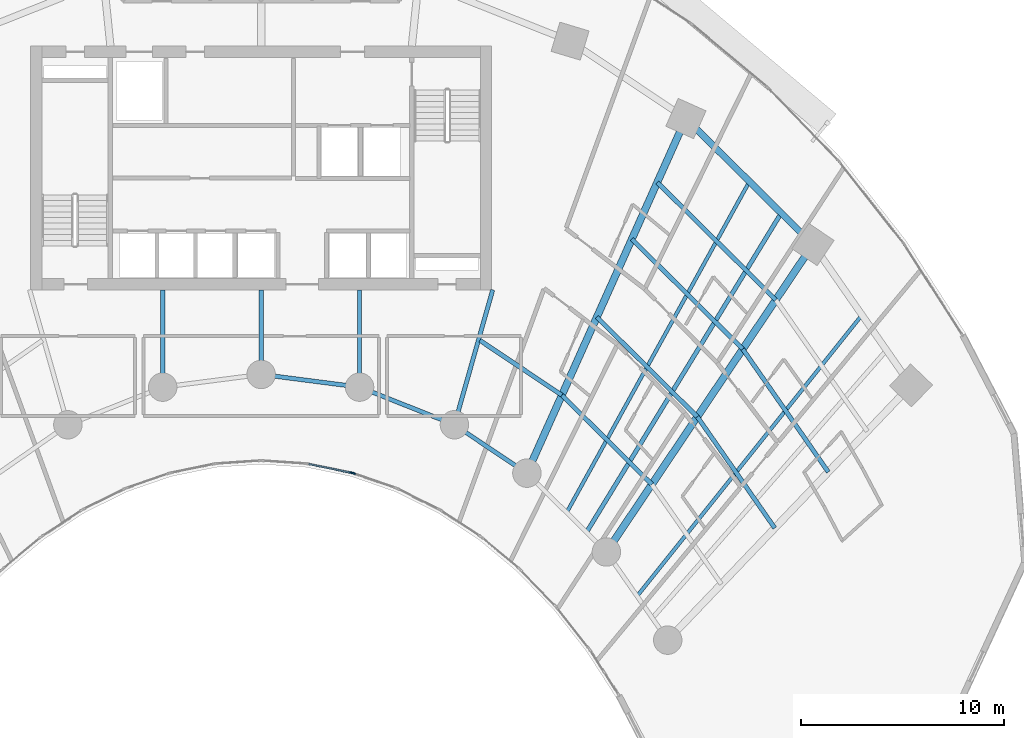
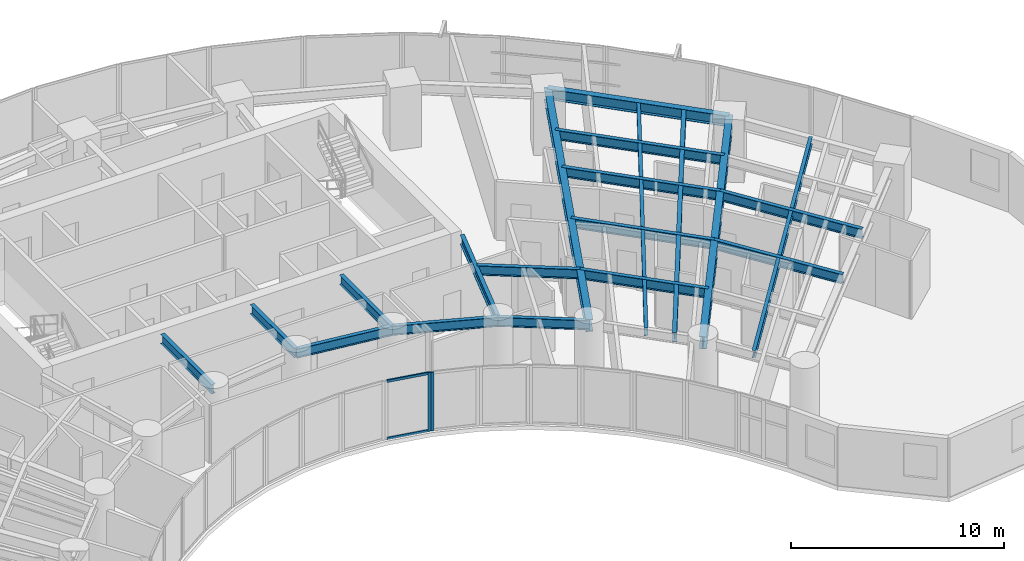
# One storey, part 5 of 18: 20 beams, 4 members, 2 elements without a shape of their own.
"""IFC4 building model written with IfcOpenShell, lengths in metres."""

from ifc_helpers import new_model, si_unit, direction, frame, origin, origin_2d, place, context, subcontext, project, spatial, rectangle, i_section, extrude, source, transform, mapped, material, layer, layer_set, material_profile, profile_set, type_object, type_shapes, element, aggregate, save


model = new_model("IFC4")

# Units and contexts
model_context = context("Model", 3, precision=1e-05, world=origin(), true_north=direction((0.0, 1.0)))
body_context = subcontext(model_context, "Body", "Model", "MODEL_VIEW")
ifc_project = project(units=[si_unit("LENGTHUNIT", "METRE"), si_unit("AREAUNIT", "SQUARE_METRE"), si_unit("VOLUMEUNIT", "CUBIC_METRE"), si_unit("PLANEANGLEUNIT", "RADIAN"), si_unit("MASSUNIT", "GRAM", prefix="KILO")], contexts=[model_context])

# Site, building, storey
site_placement = place(None, origin())
site = spatial("IfcSite", under=ifc_project, at=site_placement, CompositionType="ELEMENT")
building_placement = place(site_placement, origin())
building = spatial("IfcBuilding", under=site, at=building_placement, Name="Breltana Convention Tower", CompositionType="ELEMENT")
storey_placement = place(building_placement, frame((0.0, 0.0, 35.39990234375)))
storey = spatial("IfcBuildingStorey", under=building, at=storey_placement, Name="L06", CompositionType="ELEMENT", Elevation=35.39990234375)

# Beams
ifc_material_1 = material(Name="Steel ASTM A992 Grade 50", Category="steel")
ifc_material_profile_1 = material_profile(ifc_material_1, i_section(OverallWidth=0.323974609375, OverallDepth=0.611083984375, WebThickness=0.0126953125, FlangeThickness=0.01904296875, at=origin_2d()), Name="W24X104")
ifc_profile_set_1 = profile_set([ifc_material_profile_1], Name="Steel ASTM A992 Grade 50")
beam_type_1 = type_object("IfcBeamType", Name="BM-SP-W24X104", PredefinedType="SPANDREL", material=ifc_profile_set_1)
shared_shape_1 = source(origin(), body_context, "Body", "SweptSolid", [
    extrude(i_section(OverallWidth=0.323974609375, OverallDepth=0.611083984375, WebThickness=0.0126953125, FlangeThickness=0.01904296875, at=origin_2d()), origin(), (0.0, 0.0, 1.0), 8.810302734375),
])
beam_1_placement = place(storey_placement, frame((68.910400390625, 68.63330078125, 3.0546875), z_axis=(0.710120823582, -0.704079836322, 0.0), x_axis=(0.704079836322, 0.710120823582, 0.0)))
element("IfcBeam", 1, at=beam_1_placement, inside=storey, type_object=beam_type_1, Name="L06 Outer Spandrel Beam 09", PredefinedType="SPANDREL", context=body_context, shape_type="MappedRepresentation", body=[
    mapped(shared_shape_1, transform((0.0, 0.0, 0.0), scale=1.0)),
])
ifc_material_profile_2 = material_profile(ifc_material_1, i_section(OverallWidth=0.2099609375, OverallDepth=0.537109375, WebThickness=0.010986328125, FlangeThickness=0.017333984375, at=origin_2d()), Name="W21X68")
ifc_profile_set_2 = profile_set([ifc_material_profile_2], Name="Steel ASTM A992 Grade 50")
beam_type_2 = type_object("IfcBeamType", Name="BM-BM-W21X68", PredefinedType="BEAM", material=ifc_profile_set_2)
shared_shape_2 = source(origin(), body_context, "Body", "SweptSolid", [
    extrude(i_section(OverallWidth=0.2099609375, OverallDepth=0.537109375, WebThickness=0.010986328125, FlangeThickness=0.017333984375, at=origin_2d()), origin(), (0.0, 0.0, 1.0), 6.904541015625),
])
type_shapes(beam_type_2, [shared_shape_2])
beam_2_placement = place(storey_placement, frame((59.39990234375, 60.199951171875, 3.091552734375), z_axis=(-0.273006781054, -0.962012108811, 0.0), x_axis=(0.962012108811, -0.273006781054, 0.0)))
element("IfcBeam", 2, at=beam_2_placement, inside=storey, type_object=beam_type_2, Name="L06 South Core Tie Girder R08", PredefinedType="BEAM", context=body_context, shape_type="MappedRepresentation", body=[
    mapped(shared_shape_2, transform((0.0, 0.0, 0.0), scale=1.0)),
])
shared_shape_3 = source(origin(), body_context, "Body", "SweptSolid", [
    extrude(i_section(OverallWidth=0.2099609375, OverallDepth=0.537109375, WebThickness=0.010986328125, FlangeThickness=0.017333984375, at=origin_2d()), origin(), (0.0, 0.0, 1.0), 4.789306640625),
])
for number, where, z_axis, x_axis, name in (
    (3, (43.153564453125, 60.199951171875, 3.091552734375), (0.0, -1.0, 0.0), (1.0, 0.0, 0.0), "L06 South Core Tie Girder R05"),
    (4, (52.846435546875, 60.199951171875, 3.091552734375), (0.0, -1.0, 0.0), (1.0, 0.0, 0.0), "L06 South Core Tie Girder R07"),
):
    element("IfcBeam", number, at=place(storey_placement, frame(where, z_axis=z_axis, x_axis=x_axis)), inside=storey, type_object=beam_type_2, Name=name, PredefinedType="BEAM", context=body_context, shape_type="MappedRepresentation", body=[
        mapped(shared_shape_3, transform((0.0, 0.0, 0.0), scale=1.0)),
    ])
shared_shape_4 = source(origin(), body_context, "Body", "SweptSolid", [
    extrude(i_section(OverallWidth=0.2099609375, OverallDepth=0.537109375, WebThickness=0.010986328125, FlangeThickness=0.017333984375, at=origin_2d()), origin(), (0.0, 0.0, 1.0), 4.1640625),
])
beam_3_placement = place(storey_placement, frame((48.0, 60.199951171875, 3.091552734375), z_axis=(0.0, -1.0, 0.0), x_axis=(1.0, 0.0, 0.0)))
element("IfcBeam", 5, at=beam_3_placement, inside=storey, type_object=beam_type_2, Name="L06 South Core Tie Girder R06", PredefinedType="BEAM", context=body_context, shape_type="MappedRepresentation", body=[
    mapped(shared_shape_4, transform((0.0, 0.0, 0.0), scale=1.0)),
])
ifc_material_profile_3 = material_profile(ifc_material_1, i_section(OverallWidth=0.35498046875, OverallDepth=0.696044921875, WebThickness=0.015380859375, FlangeThickness=0.02490234375, at=origin_2d()), Name="W27X146")
ifc_profile_set_3 = profile_set([ifc_material_profile_3], Name="Steel ASTM A992 Grade 50")
beam_type_3 = type_object("IfcBeamType", Name="BM-RG-W27X146", PredefinedType="USERDEFINED", material=ifc_profile_set_3)
shared_shape_5 = source(origin(), body_context, "Body", "SweptSolid", [
    extrude(i_section(OverallWidth=0.35498046875, OverallDepth=0.696044921875, WebThickness=0.015380859375, FlangeThickness=0.02490234375, at=origin_2d()), origin(), (0.0, 0.0, 1.0), 19.133544921875),
])
beam_4_placement = place(storey_placement, frame((61.08203125, 51.174560546875, 3.01220703125), z_axis=(0.409144564164, 0.912469575172, 0.0), x_axis=(-0.912469575172, 0.409144564164, 0.0)))
element("IfcBeam", 6, at=beam_4_placement, inside=storey, type_object=beam_type_3, Name="L06 Radial Floor Girder R09", ObjectType="GIRDER", PredefinedType="USERDEFINED", context=body_context, shape_type="MappedRepresentation", body=[
    mapped(shared_shape_5, transform((0.0, 0.0, 0.0), scale=1.0)),
])
shared_shape_6 = source(origin(), body_context, "Body", "SweptSolid", [
    extrude(i_section(OverallWidth=0.35498046875, OverallDepth=0.696044921875, WebThickness=0.015380859375, FlangeThickness=0.02490234375, at=origin_2d()), origin(), (0.0, 0.0, 1.0), 18.236328125),
])
beam_5_placement = place(storey_placement, frame((64.995849609375, 47.293701171875, 3.01220703125), z_axis=(0.557730360975, 0.830022195153, 0.0), x_axis=(-0.830022195153, 0.557730360975, 0.0)))
element("IfcBeam", 7, at=beam_5_placement, inside=storey, type_object=beam_type_3, Name="L06 Radial Floor Girder R10", ObjectType="GIRDER", PredefinedType="USERDEFINED", context=body_context, shape_type="MappedRepresentation", body=[
    mapped(shared_shape_6, transform((0.0, 0.0, 0.0), scale=1.0)),
])
shared_shape_7 = source(origin(), body_context, "Body", "SweptSolid", [
    extrude(i_section(OverallWidth=0.2099609375, OverallDepth=0.537109375, WebThickness=0.010986328125, FlangeThickness=0.017333984375, at=origin_2d()), origin(), (0.0, 0.0, 1.0), 5.022705078125),
])
beam_6_placement = place(storey_placement, frame((52.846435546875, 55.41064453125, 3.091552734375), z_axis=(0.929458966248, -0.368925507469, 0.0), x_axis=(0.368925507469, 0.929458966248, 0.0)))
element("IfcBeam", 8, at=beam_6_placement, inside=storey, type_object=beam_type_2, Name="L06 Inner Ring Beam 07", PredefinedType="BEAM", context=body_context, shape_type="MappedRepresentation", body=[
    mapped(shared_shape_7, transform((0.0, 0.0, 0.0), scale=1.0)),
])
shared_shape_8 = source(origin(), body_context, "Body", "SweptSolid", [
    extrude(i_section(OverallWidth=0.2099609375, OverallDepth=0.537109375, WebThickness=0.010986328125, FlangeThickness=0.017333984375, at=origin_2d()), origin(), (0.0, 0.0, 1.0), 4.88671875),
])
beam_7_placement = place(storey_placement, frame((48.0, 56.035888671875, 3.091552734375), z_axis=(0.991780525565, -0.127950729231, 0.0), x_axis=(0.127950729231, 0.991780525565, 0.0)))
element("IfcBeam", 9, at=beam_7_placement, inside=storey, type_object=beam_type_2, Name="L06 Inner Ring Beam 06", PredefinedType="BEAM", context=body_context, shape_type="MappedRepresentation", body=[
    mapped(shared_shape_8, transform((0.0, 0.0, 0.0), scale=1.0)),
])
shared_shape_9 = source(origin(), body_context, "Body", "SweptSolid", [
    extrude(i_section(OverallWidth=0.2099609375, OverallDepth=0.537109375, WebThickness=0.010986328125, FlangeThickness=0.017333984375, at=origin_2d()), origin(), (0.0, 0.0, 1.0), 4.2900390625),
])
beam_8_placement = place(storey_placement, frame((57.514892578125, 53.5576171875, 3.091552734375), z_axis=(0.831515827753, -0.555501060482, 0.0), x_axis=(0.555501060482, 0.831515827753, 0.0)))
element("IfcBeam", 10, at=beam_8_placement, inside=storey, type_object=beam_type_2, Name="L06 Inner Ring Beam 08", PredefinedType="BEAM", context=body_context, shape_type="MappedRepresentation", body=[
    mapped(shared_shape_9, transform((0.0, 0.0, 0.0), scale=1.0)),
])
ifc_material_profile_4 = material_profile(ifc_material_1, i_section(OverallWidth=0.179931640625, OverallDepth=0.4130859375, WebThickness=0.009765625, FlangeThickness=0.01611328125, at=origin_2d()), Name="W16X50")
ifc_profile_set_4 = profile_set([ifc_material_profile_4], Name="Steel ASTM A992 Grade 50")
beam_type_4 = type_object("IfcBeamType", Name="BM-JSG-08", PredefinedType="JOIST", material=ifc_profile_set_4)
shared_shape_10 = source(origin(), body_context, "Body", "SweptSolid", [
    extrude(i_section(OverallWidth=0.179931640625, OverallDepth=0.4130859375, WebThickness=0.009765625, FlangeThickness=0.01611328125, at=origin_2d()), origin(), (0.0, 0.0, 1.0), 18.617431640625),
])
beam_9_placement = place(storey_placement, frame((63.038818359375, 49.234130859375, 3.153564453125), z_axis=(0.483405602507, 0.875396495004, 0.0), x_axis=(-0.875396495004, 0.483405602507, 0.0)))
element("IfcBeam", 11, at=beam_9_placement, inside=storey, type_object=beam_type_4, Name="L06 Mid-Bay Radial Trimmer 09", PredefinedType="JOIST", context=body_context, shape_type="MappedRepresentation", body=[
    mapped(shared_shape_10, transform((0.0, 0.0, 0.0), scale=1.0)),
])
ifc_material_profile_5 = material_profile(ifc_material_1, i_section(OverallWidth=0.214111328125, OverallDepth=0.549072265625, WebThickness=0.0146484375, FlangeThickness=0.023681640625, at=origin_2d()), Name="W21X93")
ifc_profile_set_5 = profile_set([ifc_material_profile_5], Name="Steel ASTM A992 Grade 50")
beam_type_5 = type_object("IfcBeamType", Name="BM-JSG-03", PredefinedType="JOIST", material=ifc_profile_set_5)
shared_shape_11 = source(origin(), body_context, "Body", "SweptSolid", [
    extrude(i_section(OverallWidth=0.214111328125, OverallDepth=0.549072265625, WebThickness=0.0146484375, FlangeThickness=0.023681640625, at=origin_2d()), origin(), (0.0, 0.0, 1.0), 18.409423828125),
])
beam_10_placement = place(storey_placement, frame((64.017333984375, 48.263916015625, 3.085693359375), z_axis=(0.520682167606, 0.853750596098, 0.0), x_axis=(-0.853750596098, 0.520682167606, 0.0)))
element("IfcBeam", 12, at=beam_10_placement, inside=storey, type_object=beam_type_5, Name="L06 Quarter-Bay Radial Trimmer 09", PredefinedType="JOIST", context=body_context, shape_type="MappedRepresentation", body=[
    mapped(shared_shape_11, transform((0.0, 0.0, 0.0), scale=1.0)),
])
shared_shape_12 = source(origin(), body_context, "Body", "SweptSolid", [
    extrude(i_section(OverallWidth=0.179931640625, OverallDepth=0.4130859375, WebThickness=0.009765625, FlangeThickness=0.01611328125, at=origin_2d()), origin(), (0.0, 0.0, 1.0), 17.7236328125),
])
beam_11_placement = place(storey_placement, frame((66.505615234375, 45.124267578125, 3.153564453125), z_axis=(0.624829427563, 0.78076128647, 0.0), x_axis=(-0.78076128647, 0.624829427563, 0.0)))
element("IfcBeam", 13, at=beam_11_placement, inside=storey, type_object=beam_type_4, Name="L06 Mid-Bay Radial Trimmer 10", PredefinedType="JOIST", context=body_context, shape_type="MappedRepresentation", body=[
    mapped(shared_shape_12, transform((0.0, 0.0, 0.0), scale=1.0)),
])
shared_shape_13 = source(origin(), body_context, "Body", "SweptSolid", [
    extrude(i_section(OverallWidth=0.214111328125, OverallDepth=0.549072265625, WebThickness=0.0146484375, FlangeThickness=0.023681640625, at=origin_2d()), origin(), (0.0, 0.0, 1.0), 4.854736328125),
])
beam_12_placement = place(storey_placement, frame((58.767578125, 57.71240234375, 3.085693359375), z_axis=(0.831485074305, -0.555547091801, 0.0), x_axis=(0.555547091801, 0.831485074305, 0.0)))
element("IfcBeam", 14, at=beam_12_placement, inside=storey, type_object=beam_type_5, Name="L06 Composite Floor Joist 08.1", PredefinedType="JOIST", context=body_context, shape_type="MappedRepresentation", body=[
    mapped(shared_shape_13, transform((0.0, 0.0, 0.0), scale=1.0)),
])
shared_shape_14 = source(origin(), body_context, "Body", "SweptSolid", [
    extrude(i_section(OverallWidth=0.214111328125, OverallDepth=0.549072265625, WebThickness=0.0146484375, FlangeThickness=0.023681640625, at=origin_2d()), origin(), (0.0, 0.0, 1.0), 6.2373046875),
])
beam_13_placement = place(storey_placement, frame((62.80419921875, 55.015380859375, 3.085693359375), z_axis=(0.710114292485, -0.704086423394, 0.0), x_axis=(0.704086423394, 0.710114292485, 0.0)))
element("IfcBeam", 15, at=beam_13_placement, inside=storey, type_object=beam_type_5, Name="L06 Composite Floor Joist 09.1", PredefinedType="JOIST", context=body_context, shape_type="MappedRepresentation", body=[
    mapped(shared_shape_14, transform((0.0, 0.0, 0.0), scale=1.0)),
])
shared_shape_15 = source(origin(), body_context, "Body", "SweptSolid", [
    extrude(i_section(OverallWidth=0.214111328125, OverallDepth=0.549072265625, WebThickness=0.0146484375, FlangeThickness=0.023681640625, at=origin_2d()), origin(), (0.0, 0.0, 1.0), 6.963134765625),
])
beam_14_placement = place(storey_placement, frame((64.526611328125, 58.8564453125, 3.085693359375), z_axis=(0.71009817493, -0.704102678564, 0.0), x_axis=(0.704102678564, 0.71009817493, 0.0)))
element("IfcBeam", 16, at=beam_14_placement, inside=storey, type_object=beam_type_5, Name="L06 Composite Floor Joist 09.2", PredefinedType="JOIST", context=body_context, shape_type="MappedRepresentation", body=[
    mapped(shared_shape_15, transform((0.0, 0.0, 0.0), scale=1.0)),
])
shared_shape_16 = source(origin(), body_context, "Body", "SweptSolid", [
    extrude(i_section(OverallWidth=0.214111328125, OverallDepth=0.549072265625, WebThickness=0.0146484375, FlangeThickness=0.023681640625, at=origin_2d()), origin(), (0.0, 0.0, 1.0), 7.688720703125),
])
beam_15_placement = place(storey_placement, frame((66.248779296875, 62.697265625, 3.085693359375), z_axis=(0.710101109809, -0.704099718682, 0.0), x_axis=(0.704099718682, 0.710101109809, 0.0)))
element("IfcBeam", 17, at=beam_15_placement, inside=storey, type_object=beam_type_5, Name="L06 Composite Floor Joist 09.3", PredefinedType="JOIST", context=body_context, shape_type="MappedRepresentation", body=[
    mapped(shared_shape_16, transform((0.0, 0.0, 0.0), scale=1.0)),
])
shared_shape_17 = source(origin(), body_context, "Body", "SweptSolid", [
    extrude(i_section(OverallWidth=0.214111328125, OverallDepth=0.549072265625, WebThickness=0.0146484375, FlangeThickness=0.023681640625, at=origin_2d()), origin(), (0.0, 0.0, 1.0), 8.21630859375),
])
beam_16_placement = place(storey_placement, frame((67.50146484375, 65.49072265625, 3.085693359375), z_axis=(0.710101511063, -0.704099314008, 0.0), x_axis=(0.704099314008, 0.710101511063, 0.0)))
element("IfcBeam", 18, at=beam_16_placement, inside=storey, type_object=beam_type_5, Name="L06 Composite Floor Joist 09.4", PredefinedType="JOIST", context=body_context, shape_type="MappedRepresentation", body=[
    mapped(shared_shape_17, transform((0.0, 0.0, 0.0), scale=1.0)),
])
shared_shape_18 = source(origin(), body_context, "Body", "SweptSolid", [
    extrude(i_section(OverallWidth=0.214111328125, OverallDepth=0.549072265625, WebThickness=0.0146484375, FlangeThickness=0.023681640625, at=origin_2d()), origin(), (0.0, 0.0, 1.0), 6.677978515625),
])
beam_17_placement = place(storey_placement, frame((69.47119140625, 53.95361328125, 3.085693359375), z_axis=(0.571193018768, -0.820815774282, 0.0), x_axis=(0.820815774282, 0.571193018768, 0.0)))
element("IfcBeam", 19, at=beam_17_placement, inside=storey, type_object=beam_type_5, Name="L06 Composite Floor Joist 10.2", PredefinedType="JOIST", context=body_context, shape_type="MappedRepresentation", body=[
    mapped(shared_shape_18, transform((0.0, 0.0, 0.0), scale=1.0)),
])
shared_shape_19 = source(origin(), body_context, "Body", "SweptSolid", [
    extrude(i_section(OverallWidth=0.214111328125, OverallDepth=0.549072265625, WebThickness=0.0146484375, FlangeThickness=0.023681640625, at=origin_2d()), origin(), (0.0, 0.0, 1.0), 7.374267578125),
])
beam_18_placement = place(storey_placement, frame((71.70849609375, 57.28369140625, 3.085693359375), z_axis=(0.571229379406, -0.820790470281, 0.0), x_axis=(0.820790470281, 0.571229379406, 0.0)))
element("IfcBeam", 20, at=beam_18_placement, inside=storey, type_object=beam_type_5, Name="L06 Composite Floor Joist 10.3", PredefinedType="JOIST", context=body_context, shape_type="MappedRepresentation", body=[
    mapped(shared_shape_19, transform((0.0, 0.0, 0.0), scale=1.0)),
])

# Curtain wall, member
ifc_material_2 = material(Name="Aluminium Anodised Bronze Frame", Category="aluminium")
ifc_layer = layer(ifc_material_2, 0.18994140625, Name="Aluminium Anodised Bronze Frame")
ifc_layer_set = layer_set([ifc_layer], Name="Aluminium Anodised Bronze Frame")
curtain_wall_type = type_object("IfcCurtainWallType", Name="CW-SYS-1", PredefinedType="NOTDEFINED", material=ifc_layer_set)
curtain_wall_1_placement = place(storey_placement, origin())
curtain_wall_1 = element("IfcCurtainWall", 21, at=curtain_wall_1_placement, inside=storey, type_object=curtain_wall_type, Name="L06 inner south-court glazing 7", PredefinedType="NOTDEFINED")
ifc_material_3 = material(Name="Aluminium Anodised Bronze", Category="aluminium")
ifc_material_profile_6 = material_profile(ifc_material_3, rectangle(XDim=0.080078125, YDim=0.199951171875, at=origin_2d()), Name="CWM-80X200")
ifc_profile_set_6 = profile_set([ifc_material_profile_6], Name="Aluminium Anodised Bronze")
member_type_1 = type_object("IfcMemberType", Name="CWM-200", PredefinedType="MULLION", material=ifc_profile_set_6)
shared_shape_20 = source(origin(), body_context, "Body", "SweptSolid", [
    extrude(rectangle(XDim=0.080078125, YDim=0.199951171875, at=origin_2d()), origin(), (0.0, 0.0, 1.0), 3.360107421875),
])
member_1_placement = place(storey_placement, frame((52.54052734375, 51.166015625, 0.0), z_axis=(0.0, 0.0, 1.0), x_axis=(-0.327413341714, -0.944881211406, 0.0)))
member_1 = element("IfcMember", 22, at=member_1_placement, type_object=member_type_1, Name="CW-01 mullion 2", PredefinedType="MULLION", context=body_context, shape_type="MappedRepresentation", body=[
    mapped(shared_shape_20, transform((0.0, 0.0, 0.0), scale=1.0)),
])
aggregate(curtain_wall_1, [member_1])

# Curtain wall, members
curtain_wall_2_placement = place(storey_placement, origin())
curtain_wall_2 = element("IfcCurtainWall", 23, at=curtain_wall_2_placement, inside=storey, type_object=curtain_wall_type, Name="L06 inner south-court glazing 8", PredefinedType="NOTDEFINED")
member_2_placement = place(storey_placement, frame((52.44091796875, 51.193359375, 0.0), z_axis=(0.0, 0.0, 1.0), x_axis=(-0.200886350278, -0.97961455393, 0.0)))
member_2 = element("IfcMember", 24, at=member_2_placement, type_object=member_type_1, Name="CW-01 mullion 1", PredefinedType="MULLION", context=body_context, shape_type="MappedRepresentation", body=[
    mapped(shared_shape_20, transform((0.0, 0.0, 0.0), scale=1.0)),
])
ifc_material_profile_7 = material_profile(ifc_material_3, rectangle(XDim=0.080078125, YDim=0.139892578125, at=origin_2d()), Name="CWT-80X140")
ifc_profile_set_7 = profile_set([ifc_material_profile_7], Name="Aluminium Anodised Bronze")
member_type_2 = type_object("IfcMemberType", Name="CWT-140", PredefinedType="USERDEFINED", material=ifc_profile_set_7)
shared_shape_21 = source(origin(), body_context, "Body", "SweptSolid", [
    extrude(rectangle(XDim=0.080078125, YDim=0.139892578125, at=origin_2d()), origin(), (0.0, 0.0, 1.0), 2.096435546875),
])
member_3_placement = place(storey_placement, frame((52.401611328125, 51.201416015625, 0.0400390625), z_axis=(-0.979615042233, 0.200883969074, 0.0), x_axis=(-0.200883969074, -0.979615042233, 0.0)))
member_3 = element("IfcMember", 25, at=member_3_placement, type_object=member_type_2, Name="CW-01 transom 1.1", ObjectType="TRANSOM", PredefinedType="USERDEFINED", context=body_context, shape_type="MappedRepresentation", body=[
    mapped(shared_shape_21, transform((0.0, 0.0, 0.0), scale=1.0)),
])
member_4_placement = place(storey_placement, frame((52.401611328125, 51.201416015625, 3.320068359375), z_axis=(-0.979615042233, 0.200883969074, 0.0), x_axis=(-0.200883969074, -0.979615042233, 0.0)))
member_4 = element("IfcMember", 26, at=member_4_placement, type_object=member_type_2, Name="CW-01 transom 1.2", ObjectType="TRANSOM", PredefinedType="USERDEFINED", context=body_context, shape_type="MappedRepresentation", body=[
    mapped(shared_shape_21, transform((0.0, 0.0, 0.0), scale=1.0)),
])
aggregate(curtain_wall_2, [member_2, member_3, member_4])

save(model, "model.ifc")
